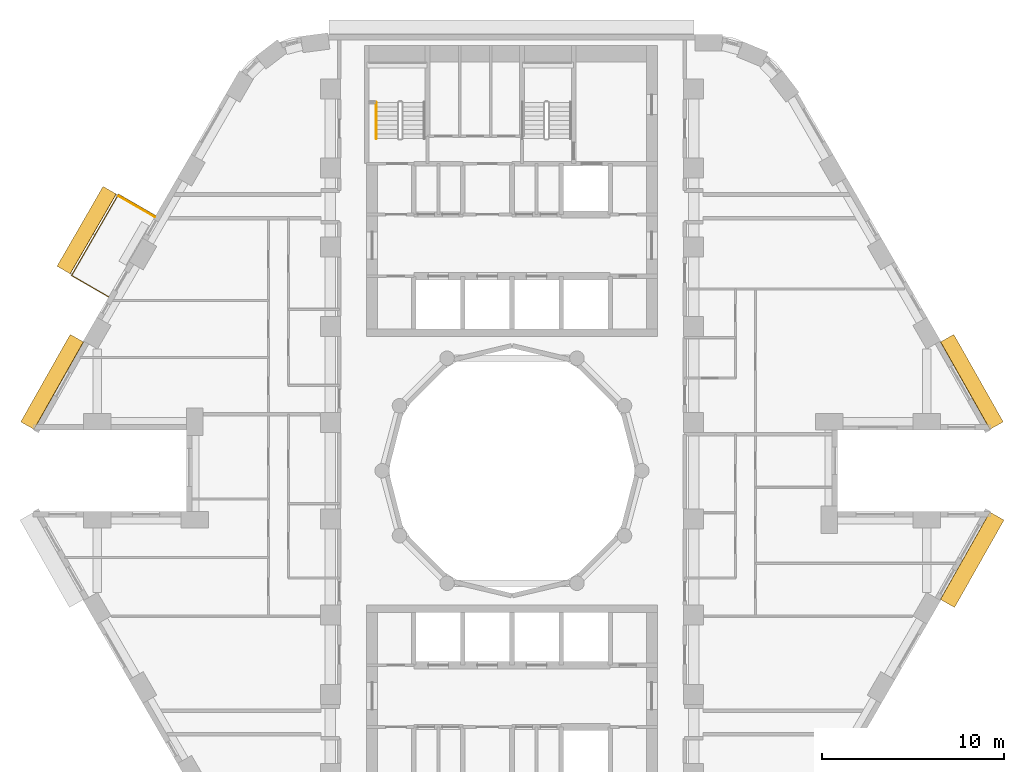
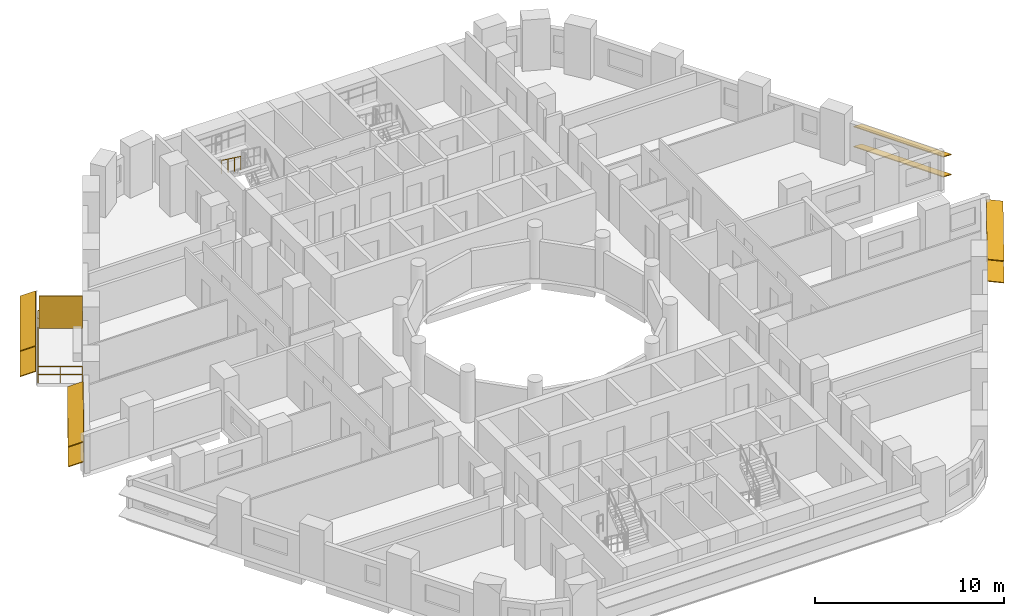
# One storey, part 12 of 13: 9 shading devices, 2 railings.
"""IFC4 building model written with IfcOpenShell, lengths in metres."""

import ifcopenshell
import ifcopenshell.guid

model = None  # the IFC model being written
_history = None  # IfcOwnerHistory: only IFC2X3 demands one
_inside = {}  # id of a spatial element -> (the spatial element, [elements in it])
_under = {}  # id of a project, library or spatial element -> (it, [spatial elements below it])
_declared = {}  # id of a project -> (the project, [libraries it declares])
_typed = {}  # id of a type object -> (the type object, [elements of that type])
_made_of = {}  # id of a material, layer set ... -> (it, [elements and type objects made of it])


def new_model(schema):
    """Start an empty IFC model of exactly this schema.

    Asked for "IFC4X3", IfcOpenShell would pick the latest addendum, in which some entities
    have other attributes; the version numbers below select the first issue.
    IFC2X3 requires an IfcOwnerHistory on every rooted entity: one is made here for all.
    """
    global model, _history
    if schema == "IFC4X3":
        model = ifcopenshell.file(schema_version=(4, 3, 0, 0))
    else:
        model = ifcopenshell.file(schema=schema)
    _inside.clear()
    _under.clear()
    _declared.clear()
    _typed.clear()
    _made_of.clear()
    _history = None
    if model.schema == "IFC2X3":
        org = make("IfcOrganization", Name="unknown")
        user = make(
            "IfcPersonAndOrganization",
            ThePerson=make("IfcPerson", FamilyName="unknown"),
            TheOrganization=org,
        )
        app = make(
            "IfcApplication",
            ApplicationDeveloper=org,
            Version="unknown",
            ApplicationFullName="unknown",
            ApplicationIdentifier="unknown",
        )
        _history = make(
            "IfcOwnerHistory",
            OwningUser=user,
            OwningApplication=app,
            ChangeAction="ADDED",
            CreationDate=0,
        )
    return model


def make(cls, **values):
    """One entity of the class cls with the attributes given. An attribute that is None is left unset."""
    return model.create_entity(
        cls, **{name: value for name, value in values.items() if value is not None}
    )


def rooted(cls, **values):
    """An entity with a GlobalId (a new one), such as an element, a storey or a relation."""
    return make(cls, GlobalId=ifcopenshell.guid.new(), OwnerHistory=_history, **values)


def si_unit(unit_type, name, prefix=None):
    """IfcSIUnit, for example si_unit("LENGTHUNIT", "METRE", prefix="MILLI")."""
    return make("IfcSIUnit", UnitType=unit_type, Prefix=prefix, Name=name)


def assignment(units):
    """IfcUnitAssignment: the units of a project."""
    return None if units is None else make("IfcUnitAssignment", Units=units)


def point(xyz):
    """IfcCartesianPoint."""
    return None if xyz is None else make("IfcCartesianPoint", Coordinates=xyz)


def direction(xyz):
    """IfcDirection."""
    return None if xyz is None else make("IfcDirection", DirectionRatios=xyz)


def frame(location, z_axis=None, x_axis=None):
    """IfcAxis2Placement3D, a coordinate frame: its origin and axes. An axis left out is left unset."""
    return make(
        "IfcAxis2Placement3D",
        Location=point(location),
        Axis=direction(z_axis),
        RefDirection=direction(x_axis),
    )


def frame_2d(location, x_axis=None):
    """IfcAxis2Placement2D, a coordinate frame in the plane: its origin and x axis."""
    return make(
        "IfcAxis2Placement2D", Location=point(location), RefDirection=direction(x_axis)
    )


def origin():
    """The frame at (0, 0, 0) with its axes left unset."""
    return frame((0.0, 0.0, 0.0))


def origin_2d():
    """The frame at (0, 0) in the plane with its x axis left unset."""
    return frame_2d((0.0, 0.0))


def place(relative_to, where):
    """IfcLocalPlacement: puts the frame where relative to a parent placement (None: the world)."""
    return make(
        "IfcLocalPlacement", PlacementRelTo=relative_to, RelativePlacement=where
    )


def context(
    kind, dimensions, precision=None, world=None, true_north=None, identifier=None
):
    """IfcGeometricRepresentationContext, for example the 3D "Model" context."""
    return make(
        "IfcGeometricRepresentationContext",
        ContextIdentifier=identifier,
        ContextType=kind,
        CoordinateSpaceDimension=dimensions,
        Precision=precision,
        WorldCoordinateSystem=world,
        TrueNorth=true_north,
    )


def subcontext(parent, identifier, kind, view, scale=None):
    """IfcGeometricRepresentationSubContext, for example "Body" below "Model"."""
    return make(
        "IfcGeometricRepresentationSubContext",
        ContextIdentifier=identifier,
        ContextType=kind,
        ParentContext=parent,
        TargetScale=scale,
        TargetView=view,
    )


def project(units=None, contexts=None):
    """IfcProject with its units and contexts."""
    return rooted(
        "IfcProject",
        Name="project",
        RepresentationContexts=contexts,
        UnitsInContext=assignment(units),
    )


def spatial(cls, under=None, at=None, **own):
    """A site, building, storey or space (cls), placed at a placement, below another one or the project."""
    s = rooted(cls, ObjectPlacement=at, **own)
    if under is not None:
        _under.setdefault(under.id(), (under, []))[1].append(s)
    return s


def profile(cls, at=None, kind="AREA", **sizes):
    """A parametric profile (cls). Its sizes go by their IFC names, for example OverallWidth=200.0."""
    return make(cls, ProfileType=kind, Position=at, **sizes)


def rectangle(**sizes):
    """IfcRectangleProfileDef."""
    return profile("IfcRectangleProfileDef", **sizes)


def circle(**sizes):
    """IfcCircleProfileDef."""
    return profile("IfcCircleProfileDef", **sizes)


def extrude(swept, where, along, depth):
    """IfcExtrudedAreaSolid: the profile swept, set in the frame where, extruded along a direction by depth."""
    return make(
        "IfcExtrudedAreaSolid",
        SweptArea=swept,
        Position=where,
        ExtrudedDirection=direction(along),
        Depth=depth,
    )


def shape(context_of_items, identifier, shape_type, items):
    """IfcShapeRepresentation: the items that make up one representation, for example the "Body"."""
    return make(
        "IfcShapeRepresentation",
        ContextOfItems=context_of_items,
        RepresentationIdentifier=identifier,
        RepresentationType=shape_type,
        Items=items,
    )


def material(Name=None, Category=None):
    """IfcMaterial."""
    return make("IfcMaterial", Name=Name, Category=Category)


def layer(
    of_material, thickness, ventilated=None, Name=None, Category=None, Priority=None
):
    """IfcMaterialLayer: one layer of a wall or slab, of a material (None: an air gap)."""
    return make(
        "IfcMaterialLayer",
        Material=of_material,
        LayerThickness=thickness,
        IsVentilated=ventilated,
        Name=Name,
        Category=Category,
        Priority=Priority,
    )


def layer_set(layers, Name=None):
    """IfcMaterialLayerSet."""
    return make("IfcMaterialLayerSet", MaterialLayers=layers, LayerSetName=Name)


def material_profile(
    of_material, cross_section, Name=None, Category=None, Priority=None
):
    """IfcMaterialProfile: a cross section and its material."""
    return make(
        "IfcMaterialProfile",
        Name=Name,
        Material=of_material,
        Profile=cross_section,
        Priority=Priority,
        Category=Category,
    )


def profile_set(profiles, Name=None, composite=None):
    """IfcMaterialProfileSet."""
    return make(
        "IfcMaterialProfileSet",
        Name=Name,
        MaterialProfiles=profiles,
        CompositeProfile=composite,
    )


def made_of(thing, what):
    """Note that an element or type object is made of a material, layer set ...; save() writes the relation."""
    if what is not None:
        _made_of.setdefault(what.id(), (what, []))[1].append(thing)
    return thing


def type_object(cls, material=None, **own):
    """A type object (cls), such as IfcWallType, which elements share."""
    return made_of(rooted(cls, **own), material)


def element(
    cls,
    number,
    at=None,
    inside=None,
    cuts=None,
    type_object=None,
    material=None,
    context=None,
    identifier="Body",
    shape_type=None,
    held_by="IfcProductDefinitionShape",
    body=None,
    shapes=None,
    **own,
):
    """One element of the class cls, such as IfcWall. Its Tag is "e" and its number.

    at: its placement. inside: the storey or other place that contains it. cuts: it is an
    opening in that element (IfcRelVoidsElement). A single representation is given by context,
    identifier, shape_type and body (its items); several are given by shapes. held_by: the class
    of the entity that holds the representations. save() writes the other relations.
    """
    e = rooted(cls, Tag="e%d" % number, ObjectPlacement=at, **own)
    if body is not None:
        shapes = [shape(context, identifier, shape_type, body)]
    if shapes is not None:
        e.Representation = make(held_by, Representations=shapes)
    if inside is not None:
        _inside.setdefault(inside.id(), (inside, []))[1].append(e)
    if cuts is not None:
        rooted(
            "IfcRelVoidsElement", RelatingBuildingElement=cuts, RelatedOpeningElement=e
        )
    if type_object is not None:
        _typed.setdefault(type_object.id(), (type_object, []))[1].append(e)
    return made_of(e, material)


def aggregate(whole, parts):
    """IfcRelAggregates: a whole, such as a stair, and the parts it consists of."""
    return rooted("IfcRelAggregates", RelatingObject=whole, RelatedObjects=parts)


def save(model, path):
    """Write the relations noted so far, then the file.

    IfcRelAggregates (storeys below a building ...), IfcRelContainedInSpatialStructure (elements
    in a storey), IfcRelDefinesByType, IfcRelAssociatesMaterial and IfcRelDeclares: one each for
    every whole, place, type object, material and project.
    """
    for whole, parts in _under.values():
        aggregate(whole, parts)
    for where, things in _inside.values():
        rooted(
            "IfcRelContainedInSpatialStructure",
            RelatedElements=things,
            RelatingStructure=where,
        )
    for kind, things in _typed.values():
        rooted("IfcRelDefinesByType", RelatedObjects=things, RelatingType=kind)
    for what, things in _made_of.values():
        rooted("IfcRelAssociatesMaterial", RelatedObjects=things, RelatingMaterial=what)
    for by, libraries in _declared.values():
        rooted("IfcRelDeclares", RelatingContext=by, RelatedDefinitions=libraries)
    model.write(path)


model = new_model("IFC4")

# Units and contexts
model_context = context("Model", 3, precision=1e-05, world=origin(), true_north=direction((0.0, 1.0)))
body_context = subcontext(model_context, "Body", "Model", "MODEL_VIEW")
ifc_project = project(units=[si_unit("LENGTHUNIT", "METRE"), si_unit("AREAUNIT", "SQUARE_METRE"), si_unit("VOLUMEUNIT", "CUBIC_METRE"), si_unit("PLANEANGLEUNIT", "RADIAN"), si_unit("MASSUNIT", "GRAM", prefix="KILO")], contexts=[model_context])

# Site, building, storey
site_placement = place(None, origin())
site = spatial("IfcSite", under=ifc_project, at=site_placement, CompositionType="ELEMENT")
building_placement = place(site_placement, origin())
building = spatial("IfcBuilding", under=site, at=building_placement, Name="Nakaniwa Court", CompositionType="ELEMENT")
storey_placement = place(building_placement, frame((0.0, 0.0, 48.0)))
storey = spatial("IfcBuildingStorey", under=building, at=storey_placement, Name="L12", CompositionType="ELEMENT", Elevation=48.0)

# Railing
ifc_material_1 = material(Name="Black powder-coated steel flat bar balustrade S275", Category="steel")
railing_type_1 = type_object("IfcRailingType", Name="Black metal balcony guard 1100", PredefinedType="GUARDRAIL", material=ifc_material_1)
railing_1_placement = place(storey_placement, frame((60.384521484375, 94.025390625, -0.050048828125)))
element("IfcRailing", 1, at=railing_1_placement, inside=storey, type_object=railing_type_1, Name="L12 balcony guard 01", PredefinedType="GUARDRAIL", context=body_context, shape_type="SweptSolid", body=[
    extrude(circle(Radius=0.02392578125, at=origin_2d()), frame((0.0, 0.0, 1.076171875), z_axis=(-0.866025363618, 0.50000006957, 0.0), x_axis=(-0.50000006957, -0.866025363618, 0.0)), (0.0, 0.0, 1.0), 2.35986328125),
    extrude(circle(Radius=0.02392578125, at=origin_2d()), frame((0.0, 0.0, 0.550048828125), z_axis=(-0.866025363618, 0.50000006957, 0.0), x_axis=(-0.50000006957, -0.866025363618, 0.0)), (0.0, 0.0, 1.0), 2.35986328125),
    extrude(circle(Radius=0.02392578125, at=origin_2d()), frame((-2.043701171875, 1.179931640625, 1.076171875), z_axis=(-0.499983737144, -0.866034792945, 0.0), x_axis=(0.866034792945, -0.499983737144, 0.0)), (0.0, 0.0, 1.0), 5.149658203125),
    extrude(circle(Radius=0.02392578125, at=origin_2d()), frame((-2.043701171875, 1.179931640625, 0.550048828125), z_axis=(-0.499983737144, -0.866034792945, 0.0), x_axis=(0.866034792945, -0.499983737144, 0.0)), (0.0, 0.0, 1.0), 5.149658203125),
    extrude(circle(Radius=0.02392578125, at=origin_2d()), frame((-4.618408203125, -3.27978515625, 1.076171875), z_axis=(0.866051224006, -0.499955275397, 0.0), x_axis=(0.499955275397, 0.866051224006, 0.0)), (0.0, 0.0, 1.0), 2.360107421875),
    extrude(circle(Radius=0.02392578125, at=origin_2d()), frame((-4.618408203125, -3.27978515625, 0.550048828125), z_axis=(0.866051224006, -0.499955275397, 0.0), x_axis=(0.499955275397, 0.866051224006, 0.0)), (0.0, 0.0, 1.0), 2.360107421875),
    extrude(circle(Radius=0.02099609375, at=origin_2d()), origin(), (0.0, 0.0, 1.0), 1.052001953125),
    extrude(circle(Radius=0.02099609375, at=origin_2d()), frame((-1.02197265625, 0.58984375, 0.0)), (0.0, 0.0, 1.0), 1.052001953125),
    extrude(circle(Radius=0.02099609375, at=origin_2d()), frame((-2.043701171875, 1.179931640625, 0.0)), (0.0, 0.0, 1.0), 1.052001953125),
    extrude(circle(Radius=0.02099609375, at=origin_2d()), frame((-2.55859375, 0.2880859375, 0.0)), (0.0, 0.0, 1.0), 1.052001953125),
    extrude(circle(Radius=0.02099609375, at=origin_2d()), frame((-3.073486328125, -0.60400390625, 0.0)), (0.0, 0.0, 1.0), 1.052001953125),
    extrude(circle(Radius=0.02099609375, at=origin_2d()), frame((-3.588623046875, -1.495849609375, 0.0)), (0.0, 0.0, 1.0), 1.052001953125),
    extrude(circle(Radius=0.02099609375, at=origin_2d()), frame((-4.103515625, -2.387939453125, 0.0)), (0.0, 0.0, 1.0), 1.052001953125),
    extrude(circle(Radius=0.02099609375, at=origin_2d()), frame((-4.618408203125, -3.27978515625, 0.0)), (0.0, 0.0, 1.0), 1.052001953125),
    extrude(circle(Radius=0.02099609375, at=origin_2d()), frame((-3.596435546875, -3.86962890625, 0.0)), (0.0, 0.0, 1.0), 1.052001953125),
    extrude(circle(Radius=0.02099609375, at=origin_2d()), frame((-2.574462890625, -4.459716796875, 0.0)), (0.0, 0.0, 1.0), 1.052001953125),
])

# Shading devices
ifc_material_2 = material(Name="Black powder-coated aluminium slat screen", Category="aluminium")
ifc_layer = layer(ifc_material_2, 0.0400390625)
ifc_layer_set = layer_set([ifc_layer], Name="Black powder-coated aluminium slat screen")
shading_device_type_1 = type_object("IfcShadingDeviceType", Name="Koshi screen black metal", PredefinedType="USERDEFINED", material=ifc_layer_set)
shading_device_placement = place(storey_placement, frame((59.344482421875, 94.53369140625, -0.050048828125), z_axis=(0.0, 0.0, 1.0), x_axis=(-0.499974304289, -0.866040238702, 0.0)))
element("IfcShadingDevice", 2, at=shading_device_placement, inside=storey, type_object=shading_device_type_1, Name="L12 balcony SCREEN 01 W", ObjectType="KOSHI SCREEN", PredefinedType="USERDEFINED", context=body_context, shape_type="SweptSolid", body=[
    extrude(rectangle(XDim=0.0400390625, YDim=2.31005859375, at=origin_2d()), origin(), (0.0, 0.0, 1.0), 2.10009765625),
])
ifc_material_3 = material(Name="Perforated charcoal ceramic louvre blade")
ifc_material_profile = material_profile(ifc_material_3, rectangle(XDim=0.89990234375, YDim=0.050048828125, at=origin_2d()), Name="Perforated ceramic louvre blade")
ifc_profile_set = profile_set([ifc_material_profile], Name="Perforated charcoal ceramic louvre blade")
shading_device_type_2 = type_object("IfcShadingDeviceType", Name="Perforated ceramic louvre blade", PredefinedType="JALOUSIE", material=ifc_profile_set)
for number, where, z_axis, x_axis, name in (
    (3, (57.865966796875, 95.433349609375, 0.5), (-0.499982305563, -0.866035619431, 0.0), (0.800112583218, -0.461923418727, 0.382683432365), "L12 perforated ceramic louvre blade 01 1"),
    (4, (57.865966796875, 95.433349609375, 2.14990234375), (-0.499982305563, -0.866035619431, 0.0), (0.800112583218, -0.461923418727, 0.382683432365), "L12 perforated ceramic louvre blade 01 2"),
):
    element("IfcShadingDevice", number, at=place(storey_placement, frame(where, z_axis=z_axis, x_axis=x_axis)), inside=storey, type_object=shading_device_type_2, Name=name, PredefinedType="JALOUSIE", context=body_context, shape_type="SweptSolid", body=[
        extrude(rectangle(XDim=0.89990234375, YDim=0.050048828125, at=origin_2d()), origin(), (0.0, 0.0, 1.0), 5.069580078125),
    ])
for number, where, z_axis, x_axis, name in (
    (5, (106.662353515625, 82.480224609375, 0.550048828125), (-0.492342539441, 0.870401530247, 0.0), (-0.80472628244, -0.455193342019, 0.38107037635), "L12 perforated ceramic louvre blade w02 1"),
    (6, (106.662353515625, 82.480224609375, 1.845458984375), (-0.492342539441, 0.870401530247, 0.0), (-0.80472628244, -0.455193342019, 0.38107037635), "L12 perforated ceramic louvre blade w02 2"),
    (7, (56.05859375, 87.29052734375, 0.550048828125), (-0.492342539441, -0.870401530247, 0.0), (0.80472628244, -0.455193342019, 0.38107037635), "L12 perforated ceramic louvre blade w14 1"),
    (8, (56.05859375, 87.29052734375, 1.845458984375), (-0.492342539441, -0.870401530247, 0.0), (0.80472628244, -0.455193342019, 0.38107037635), "L12 perforated ceramic louvre blade w14 2"),
    (9, (103.962158203125, 72.69775390625, 0.550048828125), (0.492342539441, 0.870401530247, 0.0), (-0.86275552304, 0.488017576221, 0.132256390257), "L12 perforated ceramic louvre blade w32 1"),
    (10, (103.962158203125, 72.69775390625, 1.955810546875), (0.492342539441, 0.870401530247, 0.0), (-0.86275552304, 0.488017576221, 0.132256390257), "L12 perforated ceramic louvre blade w32 2"),
):
    element("IfcShadingDevice", number, at=place(storey_placement, frame(where, z_axis=z_axis, x_axis=x_axis)), inside=storey, type_object=shading_device_type_2, Name=name, PredefinedType="JALOUSIE", context=body_context, shape_type="SweptSolid", body=[
        extrude(rectangle(XDim=0.89990234375, YDim=0.050048828125, at=origin_2d()), origin(), (0.0, 0.0, 1.0), 5.526611328125),
    ])

# Railing
ifc_material_4 = material(Name="Black powder coated steel handrail", Category="steel")
railing_type_2 = type_object("IfcRailingType", Name="Stair handrail 900", PredefinedType="HANDRAIL", material=ifc_material_4)
railing_2_placement = place(storey_placement, frame((72.52490234375, 100.27490234375, 1.833251953125)))
element("IfcRailing", 11, at=railing_2_placement, inside=storey, type_object=railing_type_2, Name="L12 ST1 stair handrail 2", PredefinedType="HANDRAIL", context=body_context, shape_type="SweptSolid", body=[
    extrude(circle(Radius=0.02392578125, at=origin_2d()), frame((0.0, 0.0, 0.8759765625), z_axis=(0.0, -0.806379959628, 0.591397802423), x_axis=(1.0, 0.0, 0.0)), (0.0, 0.0, 1.0), 2.480224609375),
    extrude(circle(Radius=0.02099609375, at=origin_2d()), origin(), (0.0, 0.0, 1.0), 0.851806640625),
    extrude(circle(Radius=0.02099609375, at=origin_2d()), frame((0.0, -0.666748046875, 0.489013671875)), (0.0, 0.0, 1.0), 0.851806640625),
    extrude(circle(Radius=0.02099609375, at=origin_2d()), frame((0.0, -1.333251953125, 0.977783203125)), (0.0, 0.0, 1.0), 0.851806640625),
    extrude(circle(Radius=0.02099609375, at=origin_2d()), frame((0.0, -2.0, 1.466796875)), (0.0, 0.0, 1.0), 0.851806640625),
])

save(model, "model.ifc")
